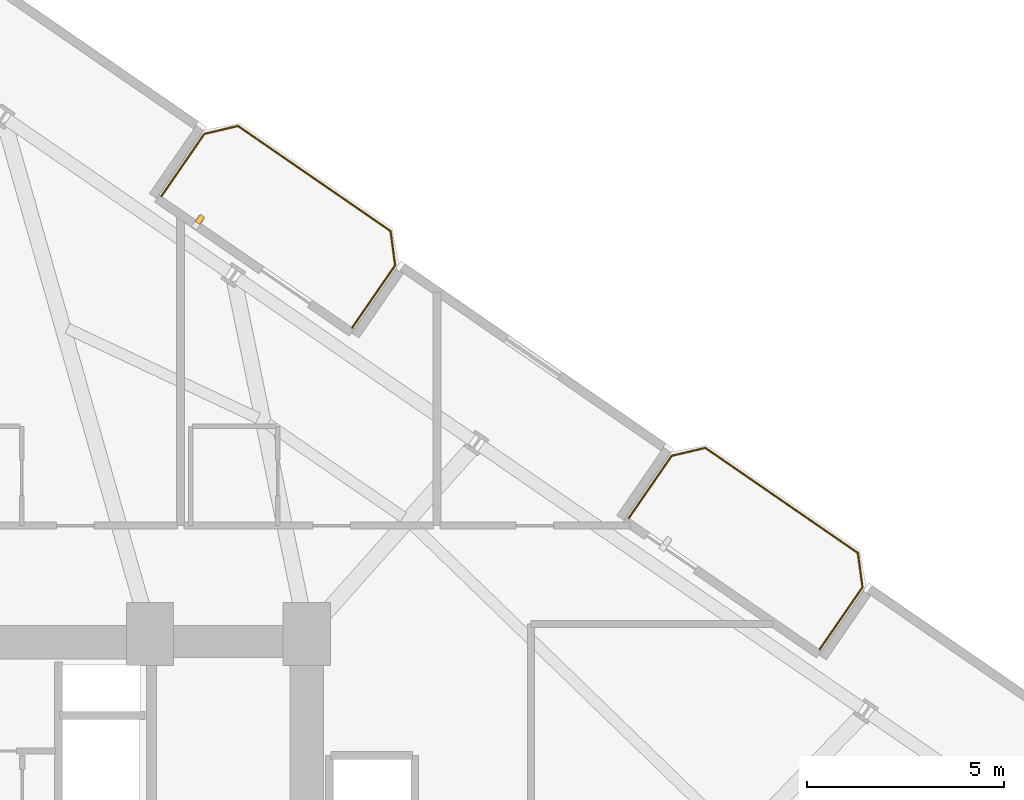
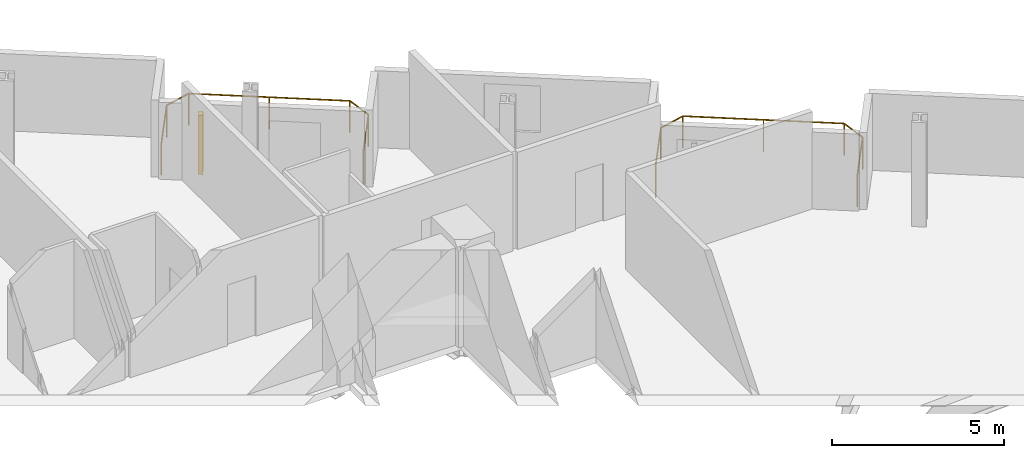
# One storey, part 25 of 25: 2 railings, 1 shading device.
"""IFC4 building model written with IfcOpenShell, lengths in metres."""

from ifc_helpers import new_model, si_unit, direction, frame, origin, origin_2d, place, context, subcontext, project, spatial, rectangle, circle, extrude, source, transform, mapped, material, type_object, element, save


model = new_model("IFC4")

# Units and contexts
model_context = context("Model", 3, precision=1e-05, world=origin(), true_north=direction((0.0, 1.0)))
body_context = subcontext(model_context, "Body", "Model", "MODEL_VIEW")
ifc_project = project(units=[si_unit("LENGTHUNIT", "METRE"), si_unit("AREAUNIT", "SQUARE_METRE"), si_unit("VOLUMEUNIT", "CUBIC_METRE"), si_unit("PLANEANGLEUNIT", "RADIAN"), si_unit("MASSUNIT", "GRAM", prefix="KILO")], contexts=[model_context])

# Site, building, storey
site_placement = place(None, origin())
site = spatial("IfcSite", under=ifc_project, at=site_placement, CompositionType="ELEMENT")
building_placement = place(site_placement, origin())
building = spatial("IfcBuilding", under=site, at=building_placement, Name="Varnelok Gate Tower", CompositionType="ELEMENT")
storey_placement = place(building_placement, frame((0.0, 0.0, 64.0)))
storey = spatial("IfcBuildingStorey", under=building, at=storey_placement, Name="L15", CompositionType="ELEMENT", Elevation=64.0)

# Railings
ifc_material_1 = material(Name="Low-E Laminated Double Glazing IGU", Category="glass")
railing_type = type_object("IfcRailingType", Name="RL-BALC-1150", PredefinedType="BALUSTRADE", material=ifc_material_1)
railing_1_placement = place(storey_placement, frame((44.010009765625, 50.158203125, 0.0)))
element("IfcRailing", 1, at=railing_1_placement, inside=storey, type_object=railing_type, Name="L15 North Terrace Balustrade 3", PredefinedType="BALUSTRADE", context=body_context, shape_type="SweptSolid", body=[
    extrude(circle(Radius=0.02392578125, at=origin_2d()), frame((0.0, 0.0, 1.1259765625), z_axis=(0.567284155424, 0.82352212296, 0.0), x_axis=(-0.82352212296, 0.567284155424, 0.0)), (0.0, 0.0, 1.0), 1.919921875),
    extrude(circle(Radius=0.02392578125, at=origin_2d()), frame((1.089111328125, 1.5810546875, 1.1259765625), z_axis=(0.973526462254, 0.228574336467, 0.0), x_axis=(-0.228574336467, 0.973526462254, 0.0)), (0.0, 0.0, 1.0), 0.8779296875),
    extrude(circle(Radius=0.02392578125, at=origin_2d()), frame((1.94384765625, 1.78173828125, 1.1259765625), z_axis=(0.823523239622, -0.567282534371, 0.0), x_axis=(0.567282534371, 0.823523239622, 0.0)), (0.0, 0.0, 1.0), 4.699951171875),
    extrude(circle(Radius=0.02392578125, at=origin_2d()), frame((5.814453125, -0.884521484375, 1.1259765625), z_axis=(0.133238627421, -0.991083986433, 0.0), x_axis=(0.991083986433, 0.133238627421, 0.0)), (0.0, 0.0, 1.0), 0.877685546875),
    extrude(circle(Radius=0.02392578125, at=origin_2d()), frame((5.931396484375, -1.75439453125, 1.1259765625), z_axis=(-0.567224752248, -0.823563039747, 0.0), x_axis=(0.823563039747, -0.567224752248, 0.0)), (0.0, 0.0, 1.0), 1.920166015625),
    extrude(circle(Radius=0.02099609375, at=origin_2d()), origin(), (0.0, 0.0, 1.0), 1.101806640625),
    extrude(circle(Radius=0.02099609375, at=origin_2d()), frame((1.089111328125, 1.5810546875, 0.0)), (0.0, 0.0, 1.0), 1.101806640625),
    extrude(circle(Radius=0.02099609375, at=origin_2d()), frame((1.94384765625, 1.78173828125, 0.0)), (0.0, 0.0, 1.0), 1.101806640625),
    extrude(circle(Radius=0.02099609375, at=origin_2d()), frame((3.879150390625, 0.44873046875, 0.0)), (0.0, 0.0, 1.0), 1.101806640625),
    extrude(circle(Radius=0.02099609375, at=origin_2d()), frame((5.814453125, -0.884521484375, 0.0)), (0.0, 0.0, 1.0), 1.101806640625),
    extrude(circle(Radius=0.02099609375, at=origin_2d()), frame((5.931396484375, -1.75439453125, 0.0)), (0.0, 0.0, 1.0), 1.101806640625),
    extrude(circle(Radius=0.02099609375, at=origin_2d()), frame((4.84228515625, -3.335693359375, 0.0)), (0.0, 0.0, 1.0), 1.101806640625),
])
railing_2_placement = place(storey_placement, frame((55.868896484375, 41.989501953125, 0.0)))
element("IfcRailing", 2, at=railing_2_placement, inside=storey, type_object=railing_type, Name="L15 North Terrace Balustrade 4", PredefinedType="BALUSTRADE", context=body_context, shape_type="SweptSolid", body=[
    extrude(circle(Radius=0.02392578125, at=origin_2d()), frame((0.0, 0.0, 1.1259765625), z_axis=(0.567284155424, 0.82352212296, 0.0), x_axis=(-0.82352212296, 0.567284155424, 0.0)), (0.0, 0.0, 1.0), 1.919921875),
    extrude(circle(Radius=0.02392578125, at=origin_2d()), frame((1.089111328125, 1.5810546875, 1.1259765625), z_axis=(0.973526462254, 0.228574336467, 0.0), x_axis=(-0.228574336467, 0.973526462254, 0.0)), (0.0, 0.0, 1.0), 0.8779296875),
    extrude(circle(Radius=0.02392578125, at=origin_2d()), frame((1.94384765625, 1.78173828125, 1.1259765625), z_axis=(0.823523239622, -0.567282534371, 0.0), x_axis=(0.567282534371, 0.823523239622, 0.0)), (0.0, 0.0, 1.0), 4.699951171875),
    extrude(circle(Radius=0.02392578125, at=origin_2d()), frame((5.814453125, -0.884521484375, 1.1259765625), z_axis=(0.133238627421, -0.991083986433, 0.0), x_axis=(0.991083986433, 0.133238627421, 0.0)), (0.0, 0.0, 1.0), 0.877685546875),
    extrude(circle(Radius=0.02392578125, at=origin_2d()), frame((5.931396484375, -1.75439453125, 1.1259765625), z_axis=(-0.567224752248, -0.823563039747, 0.0), x_axis=(0.823563039747, -0.567224752248, 0.0)), (0.0, 0.0, 1.0), 1.920166015625),
    extrude(circle(Radius=0.02099609375, at=origin_2d()), origin(), (0.0, 0.0, 1.0), 1.101806640625),
    extrude(circle(Radius=0.02099609375, at=origin_2d()), frame((1.089111328125, 1.5810546875, 0.0)), (0.0, 0.0, 1.0), 1.101806640625),
    extrude(circle(Radius=0.02099609375, at=origin_2d()), frame((1.94384765625, 1.78173828125, 0.0)), (0.0, 0.0, 1.0), 1.101806640625),
    extrude(circle(Radius=0.02099609375, at=origin_2d()), frame((3.879150390625, 0.44873046875, 0.0)), (0.0, 0.0, 1.0), 1.101806640625),
    extrude(circle(Radius=0.02099609375, at=origin_2d()), frame((5.814453125, -0.884521484375, 0.0)), (0.0, 0.0, 1.0), 1.101806640625),
    extrude(circle(Radius=0.02099609375, at=origin_2d()), frame((5.931396484375, -1.75439453125, 0.0)), (0.0, 0.0, 1.0), 1.101806640625),
    extrude(circle(Radius=0.02099609375, at=origin_2d()), frame((4.84228515625, -3.335693359375, 0.0)), (0.0, 0.0, 1.0), 1.101806640625),
])

# Shading device
ifc_material_2 = material(Name="Glazed Architectural Terracotta Ceramic", Category="masonry")
shading_device_type = type_object("IfcShadingDeviceType", Name="SHD-TERRA-FIN", PredefinedType="USERDEFINED", material=ifc_material_2)
shared_shape = source(origin(), body_context, "Body", "SweptSolid", [
    extrude(rectangle(XDim=0.139892578125, YDim=0.219970703125, at=origin_2d()), origin(), (0.0, 0.0, 1.0), 2.10009765625),
])
shading_device_placement = place(storey_placement, frame((44.988525390625, 49.569091796875, 0.099853515625), z_axis=(0.0, 0.0, 1.0), x_axis=(0.823532597628, -0.567268949127, 0.0)))
element("IfcShadingDevice", 3, at=shading_device_placement, inside=storey, type_object=shading_device_type, Name="L15 Terracotta Ceramic Baguette Sunscreen 3.1", ObjectType="BAGUETTE", PredefinedType="USERDEFINED", context=body_context, shape_type="MappedRepresentation", body=[
    mapped(shared_shape, transform((0.0, 0.0, 0.0), scale=1.0)),
])

save(model, "model.ifc")
